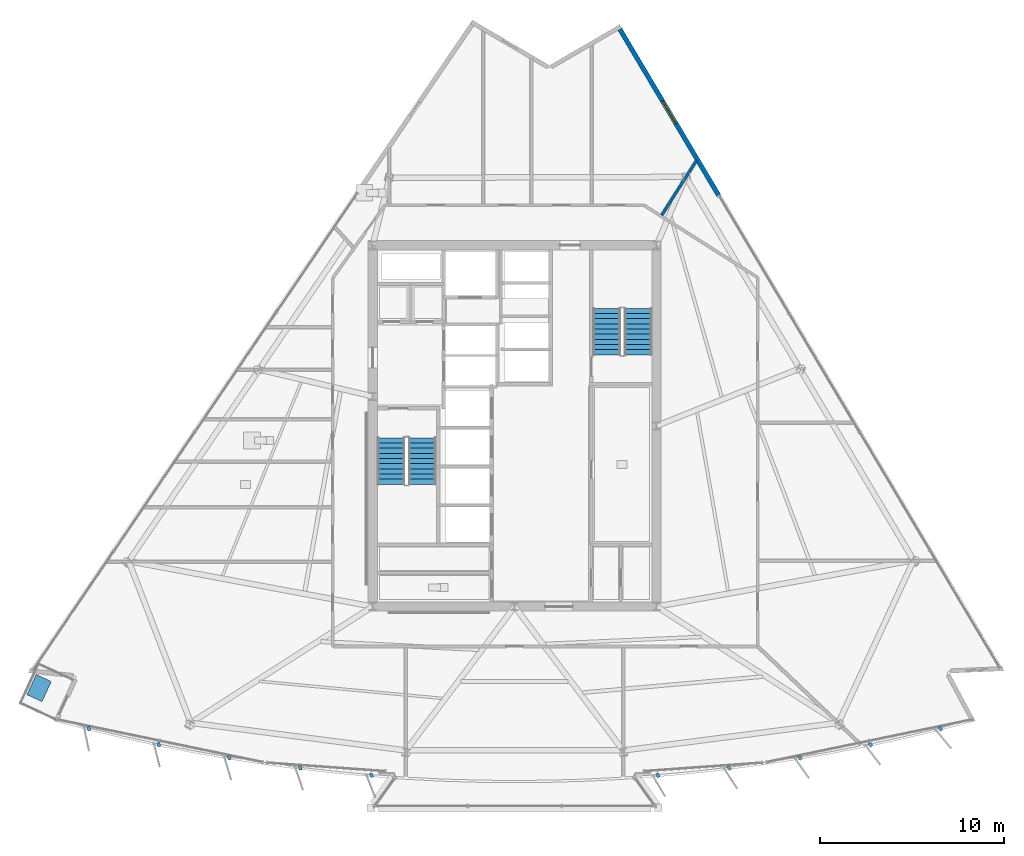
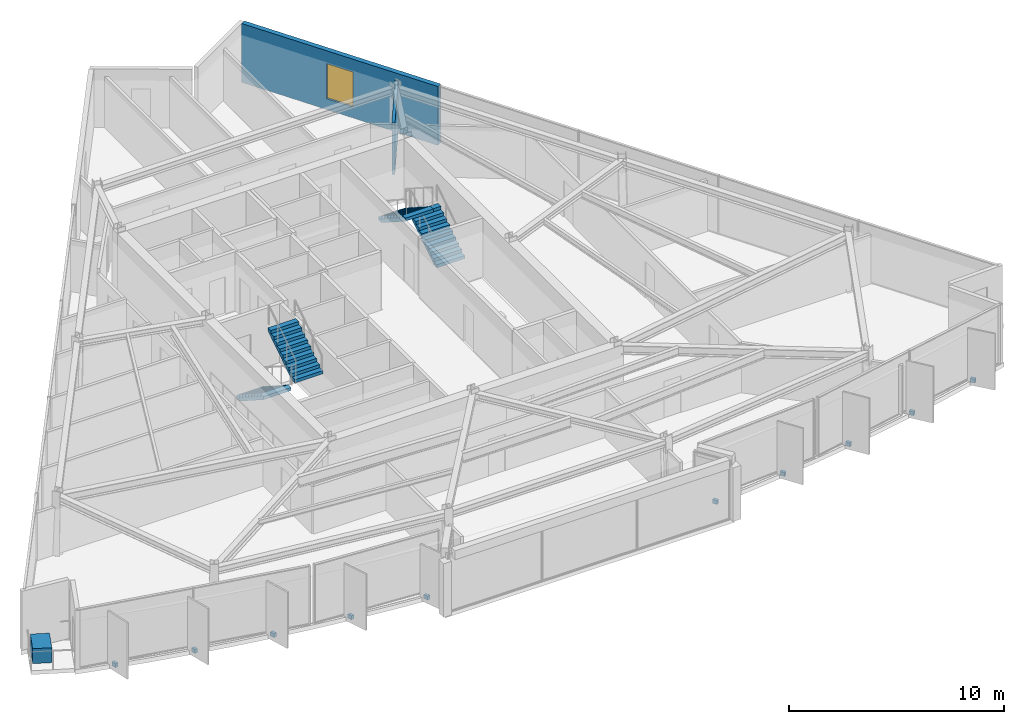
# One storey, part 10 of 15: 11 discrete accessories, 4 stair flights, 2 walls, 1 window, 1 opening, 2 elements without a shape of their own.
"""IFC4 building model written with IfcOpenShell, lengths in metres."""

from ifc_helpers import new_model, si_unit, direction, frame, frame_2d, origin, origin_2d, place, context, subcontext, project, spatial, polyline, rectangle, outline, extrude, material, layer, layer_set, type_object, element, fill, aggregate, save


model = new_model("IFC4")

# Units and contexts
model_context = context("Model", 3, precision=1e-05, world=origin(), true_north=direction((0.0, 1.0)))
body_context = subcontext(model_context, "Body", "Model", "MODEL_VIEW")
ifc_project = project(units=[si_unit("LENGTHUNIT", "METRE"), si_unit("AREAUNIT", "SQUARE_METRE"), si_unit("VOLUMEUNIT", "CUBIC_METRE"), si_unit("PLANEANGLEUNIT", "RADIAN"), si_unit("MASSUNIT", "GRAM", prefix="KILO")], contexts=[model_context])

# Site, building, storey
site_placement = place(None, origin())
site = spatial("IfcSite", under=ifc_project, at=site_placement, CompositionType="ELEMENT")
building_placement = place(site_placement, origin())
building = spatial("IfcBuilding", under=site, at=building_placement, Name="Savorim Split Tower", CompositionType="ELEMENT")
storey_placement = place(building_placement, frame((0.0, 0.0, 163.800048828125)))
storey = spatial("IfcBuildingStorey", under=building, at=storey_placement, Name="L43", CompositionType="ELEMENT", Elevation=163.800048828125)

# Wall, opening, window
ifc_material_1 = material(Name="Precast concrete C40/50", Category="concrete")
ifc_layer_1 = layer(ifc_material_1, 0.25)
ifc_layer_set_1 = layer_set([ifc_layer_1], Name="WAL-EXT-SPN250")
wall_type_1 = type_object("IfcWallType", Name="WAL-EXT-SPN250", PredefinedType="SOLIDWALL", material=ifc_layer_set_1)
wall_1_placement = place(storey_placement, frame((5.706298828125, 21.918701171875, 0.0), z_axis=(0.0, 0.0, 1.0), x_axis=(0.511079110892, -0.859533677298, 0.0)))
wall_1 = element("IfcWall", 1, at=wall_1_placement, inside=storey, type_object=wall_type_1, Name="L43 East Operable Window Pier", PredefinedType="SOLIDWALL", context=body_context, shape_type="SweptSolid", body=[
    extrude(rectangle(XDim=10.4892578125, YDim=0.25, at=frame_2d((5.24462890625, 0.0))), origin(), (0.0, 0.0, 1.0), 3.349853515625),
])
opening_placement = place(wall_1_placement, frame((4.544677734375, 0.0, 0.6201171875)))
opening = element("IfcOpeningElement", 2, at=opening_placement, cuts=wall_1, Name="Opening WN-07", PredefinedType="OPENING", context=body_context, shape_type="SweptSolid", body=[
    extrude(rectangle(XDim=1.39990234375, YDim=2.0, at=frame_2d((0.699951171875, 1.0))), frame((0.0, 0.135009765625, 0.0), z_axis=(0.0, -1.0, 0.0), x_axis=(1.0, 0.0, 0.0)), (0.0, 0.0, 1.0), 0.27001953125),
])
ifc_material_2 = material(Name="Low-E Operable Double Glazing", Category="glass")
window_type = type_object("IfcWindowType", Name="WIN-TWR-1400x2000", PartitioningType="SINGLE_PANEL", PredefinedType="WINDOW", material=ifc_material_2)
window_placement = place(opening_placement, origin())
window = element("IfcWindow", 3, at=window_placement, inside=storey, type_object=window_type, Name="L43 East Operable Ventilation Window", OverallHeight=2.0, OverallWidth=1.39990234375, PartitioningType="SINGLE_PANEL", PredefinedType="WINDOW", context=body_context, shape_type="SweptSolid", body=[
    extrude(rectangle(XDim=1.39990234375, YDim=2.0, at=frame_2d((0.699951171875, 1.0))), frame((0.0, 0.030029296875, 0.0), z_axis=(0.0, -1.0, 0.0), x_axis=(1.0, 0.0, 0.0)), (0.0, 0.0, 1.0), 0.06005859375),
])
fill(opening, window)

# Wall
ifc_material_3 = material(Name="Acoustic Gypsum Partition Board")
ifc_layer_2 = layer(ifc_material_3, 0.14990234375)
ifc_layer_set_2 = layer_set([ifc_layer_2], Name="WAL-PAR-150")
wall_type_2 = type_object("IfcWallType", Name="WAL-PAR-150", PredefinedType="PARTITIONING", material=ifc_layer_set_2)
wall_2_placement = place(storey_placement, frame((7.9765625, 11.82470703125, 0.0), z_axis=(0.0, 0.0, 1.0), x_axis=(0.536687935095, 0.843780812962, 0.0)))
element("IfcWall", 4, at=wall_2_placement, inside=storey, type_object=wall_type_2, Name="L43 Partition W-L43-PRAD07", PredefinedType="PARTITIONING", context=body_context, shape_type="SweptSolid", body=[
    extrude(rectangle(XDim=3.537841796875, YDim=0.14990234375, at=frame_2d((1.76904296875, 0.0))), origin(), (0.0, 0.0, 1.0), 2.93505859375),
])

# Stair, stair flights
ifc_material_4 = material(Name="Concrete C50/60", Category="concrete")
stair_type = type_object("IfcStairType", Name="STR-DOG-3600", PredefinedType="HALF_TURN_STAIR", material=ifc_material_4)
stair_1_placement = place(storey_placement, origin())
stair_1 = element("IfcStair", 5, at=stair_1_placement, inside=storey, type_object=stair_type, Name="L43 Core Protected Exit Stair ST-1", PredefinedType="HALF_TURN_STAIR")
stair_flight_type = type_object("IfcStairFlightType", Name="SFL-DOG-3600", PredefinedType="STRAIGHT", material=ifc_material_4)
stair_flight_1_placement = place(storey_placement, frame((-6.699951171875, -0.25, 0.0), z_axis=(0.0, 0.0, 1.0), x_axis=(0.0, -1.0, 0.0)))
stair_flight_1 = element("IfcStairFlight", 6, at=stair_flight_1_placement, type_object=stair_flight_type, Name="ST-1 flight 1", NumberOfRisers=10, NumberOfTreads=9, PredefinedType="STRAIGHT", RiserHeight=0.18, TreadLength=0.28, context=body_context, shape_type="SweptSolid", body=[
    extrude(outline(polyline([(0.0, 0.0), (0.0, 0.179931640625), (0.280029296875, 0.179931640625), (0.280029296875, 0.360107421875), (0.56005859375, 0.360107421875), (0.56005859375, 0.5400390625), (0.840087890625, 0.5400390625), (0.840087890625, 0.719970703125), (1.1201171875, 0.719970703125), (1.1201171875, 0.89990234375), (1.39990234375, 0.89990234375), (1.39990234375, 1.080078125), (1.679931640625, 1.080078125), (1.679931640625, 1.260009765625), (1.9599609375, 1.260009765625), (1.9599609375, 1.43994140625), (2.239990234375, 1.43994140625), (2.239990234375, 1.6201171875), (2.52001953125, 1.6201171875), (2.52001953125, 1.800048828125), (2.52001953125, 1.44189453125), (0.277099609375, 0.0), (0.0, 0.0)])), frame((0.0, 0.75, 0.0), z_axis=(0.0, -1.0, 0.0), x_axis=(1.0, 0.0, 0.0)), (0.0, 0.0, 1.0), 1.5),
])
stair_flight_2_placement = place(storey_placement, frame((-5.0, -2.77001953125, 1.800048828125), z_axis=(0.0, 0.0, 1.0), x_axis=(0.0, 1.0, 0.0)))
stair_flight_2 = element("IfcStairFlight", 7, at=stair_flight_2_placement, type_object=stair_flight_type, Name="ST-1 flight 2", NumberOfRisers=10, NumberOfTreads=9, PredefinedType="STRAIGHT", RiserHeight=0.18, TreadLength=0.28, context=body_context, shape_type="SweptSolid", body=[
    extrude(outline(polyline([(0.0, 0.0), (0.0, 0.179931640625), (0.280029296875, 0.179931640625), (0.280029296875, 0.360107421875), (0.56005859375, 0.360107421875), (0.56005859375, 0.5400390625), (0.840087890625, 0.5400390625), (0.840087890625, 0.719970703125), (1.1201171875, 0.719970703125), (1.1201171875, 0.89990234375), (1.39990234375, 0.89990234375), (1.39990234375, 1.080078125), (1.679931640625, 1.080078125), (1.679931640625, 1.260009765625), (1.9599609375, 1.260009765625), (1.9599609375, 1.43994140625), (2.239990234375, 1.43994140625), (2.239990234375, 1.6201171875), (2.52001953125, 1.6201171875), (2.52001953125, 1.800048828125), (2.52001953125, 1.44189453125), (0.277099609375, 0.0), (0.0, 0.0)])), frame((0.0, 0.75, 0.0), z_axis=(0.0, -1.0, 0.0), x_axis=(1.0, 0.0, 0.0)), (0.0, 0.0, 1.0), 1.5),
])
aggregate(stair_1, [stair_flight_1, stair_flight_2])

stair_2_placement = place(storey_placement, origin())
stair_2 = element("IfcStair", 8, at=stair_2_placement, inside=storey, type_object=stair_type, Name="L43 Core Protected Exit Stair ST-2", PredefinedType="HALF_TURN_STAIR")
stair_flight_3_placement = place(storey_placement, frame((6.699951171875, 4.25, 0.0), z_axis=(0.0, 0.0, 1.0), x_axis=(0.0, 1.0, 0.0)))
stair_flight_3 = element("IfcStairFlight", 9, at=stair_flight_3_placement, type_object=stair_flight_type, Name="ST-2 flight 1", NumberOfRisers=10, NumberOfTreads=9, PredefinedType="STRAIGHT", RiserHeight=0.18, TreadLength=0.28, context=body_context, shape_type="SweptSolid", body=[
    extrude(outline(polyline([(0.0, 0.0), (0.0, 0.179931640625), (0.280029296875, 0.179931640625), (0.280029296875, 0.360107421875), (0.56005859375, 0.360107421875), (0.56005859375, 0.5400390625), (0.840087890625, 0.5400390625), (0.840087890625, 0.719970703125), (1.1201171875, 0.719970703125), (1.1201171875, 0.89990234375), (1.39990234375, 0.89990234375), (1.39990234375, 1.080078125), (1.679931640625, 1.080078125), (1.679931640625, 1.260009765625), (1.9599609375, 1.260009765625), (1.9599609375, 1.43994140625), (2.239990234375, 1.43994140625), (2.239990234375, 1.6201171875), (2.52001953125, 1.6201171875), (2.52001953125, 1.800048828125), (2.52001953125, 1.44189453125), (0.277099609375, 0.0), (0.0, 0.0)])), frame((0.0, 0.75, 0.0), z_axis=(0.0, -1.0, 0.0), x_axis=(1.0, 0.0, 0.0)), (0.0, 0.0, 1.0), 1.5),
])
stair_flight_4_placement = place(storey_placement, frame((5.0, 6.77001953125, 1.800048828125), z_axis=(0.0, 0.0, 1.0), x_axis=(0.0, -1.0, 0.0)))
stair_flight_4 = element("IfcStairFlight", 10, at=stair_flight_4_placement, type_object=stair_flight_type, Name="ST-2 flight 2", NumberOfRisers=10, NumberOfTreads=9, PredefinedType="STRAIGHT", RiserHeight=0.18, TreadLength=0.28, context=body_context, shape_type="SweptSolid", body=[
    extrude(outline(polyline([(0.0, 0.0), (0.0, 0.179931640625), (0.280029296875, 0.179931640625), (0.280029296875, 0.360107421875), (0.56005859375, 0.360107421875), (0.56005859375, 0.5400390625), (0.840087890625, 0.5400390625), (0.840087890625, 0.719970703125), (1.1201171875, 0.719970703125), (1.1201171875, 0.89990234375), (1.39990234375, 0.89990234375), (1.39990234375, 1.080078125), (1.679931640625, 1.080078125), (1.679931640625, 1.260009765625), (1.9599609375, 1.260009765625), (1.9599609375, 1.43994140625), (2.239990234375, 1.43994140625), (2.239990234375, 1.6201171875), (2.52001953125, 1.6201171875), (2.52001953125, 1.800048828125), (2.52001953125, 1.44189453125), (0.277099609375, 0.0), (0.0, 0.0)])), frame((0.0, 0.75, 0.0), z_axis=(0.0, -1.0, 0.0), x_axis=(1.0, 0.0, 0.0)), (0.0, 0.0, 1.0), 1.5),
])
aggregate(stair_2, [stair_flight_3, stair_flight_4])

# Discrete accessories
ifc_material_5 = material(Name="Steel S355", Category="steel")
discrete_accessory_type_1 = type_object("IfcDiscreteAccessoryType", Name="ACC-BRK-FIN", PredefinedType="BRACKET", material=ifc_material_5)
for number, where, z_axis, x_axis, name in (
    (11, (-23.090576171875, -16.022705078125, -0.18994140625), (0.0, 0.0, 1.0), (0.206721626106, -0.978399800337, 0.0), "L43 Fin Slab-Edge Cleat Bracket 01"),
    (12, (-19.301513671875, -16.89013671875, -0.18994140625), (0.0, 0.0, 1.0), (0.246581250663, -0.969122121727, 0.0), "L43 Fin Slab-Edge Cleat Bracket 02"),
    (13, (-15.47998046875, -17.60205078125, -0.18994140625), (0.0, 0.0, 1.0), (0.286026212504, -0.958221793616, 0.0), "L43 Fin Slab-Edge Cleat Bracket 03"),
    (14, (-11.6328125, -18.156982421875, -0.18994140625), (0.0, 0.0, 1.0), (0.324993810493, -0.945716143005, 0.0), "L43 Fin Slab-Edge Cleat Bracket 04"),
    (15, (-7.76611328125, -18.553955078125, -0.18994140625), (0.0, 0.0, 1.0), (0.363415461732, -0.931627179817, 0.0), "L43 Fin Slab-Edge Cleat Bracket 05"),
    (16, (7.76611328125, -18.553955078125, -0.18994140625), (0.0, 0.0, 1.0), (0.510391336723, -0.859942255851, 0.0), "L43 Fin Slab-Edge Cleat Bracket 09"),
    (17, (11.6328125, -18.156982421875, -0.18994140625), (0.0, 0.0, 1.0), (0.545148321708, -0.838339613366, 0.0), "L43 Fin Slab-Edge Cleat Bracket 10"),
    (18, (15.47998046875, -17.60205078125, -0.18994140625), (0.0, 0.0, 1.0), (0.578993757737, -0.815331974414, 0.0), "L43 Fin Slab-Edge Cleat Bracket 11"),
    (19, (19.301513671875, -16.89013671875, -0.18994140625), (0.0, 0.0, 1.0), (0.611868076908, -0.790959832394, 0.0), "L43 Fin Slab-Edge Cleat Bracket 12"),
    (20, (23.090576171875, -16.022705078125, -0.18994140625), (0.0, 0.0, 1.0), (0.643719022682, -0.765261928909, 0.0), "L43 Fin Slab-Edge Cleat Bracket 13"),
):
    element("IfcDiscreteAccessory", number, at=place(storey_placement, frame(where, z_axis=z_axis, x_axis=x_axis)), inside=storey, type_object=discrete_accessory_type_1, Name=name, PredefinedType="BRACKET", context=body_context, shape_type="SweptSolid", body=[
        extrude(rectangle(XDim=0.239990234375, YDim=0.159912109375, at=origin_2d()), origin(), (0.0, 0.0, 1.0), 0.219970703125),
    ])
ifc_material_6 = material(Name="Architectural Precast Planter Concrete C40/50", Category="concrete")
discrete_accessory_type_2 = type_object("IfcDiscreteAccessoryType", Name="ACC-PLN-TREE", PredefinedType="USERDEFINED", material=ifc_material_6)
discrete_accessory_placement = place(storey_placement, frame((-25.789306640625, -13.822021484375, 0.0), z_axis=(0.0, 0.0, 1.0), x_axis=(-0.417495997822, -0.908678761611, 0.0)))
element("IfcDiscreteAccessory", 21, at=discrete_accessory_placement, inside=storey, type_object=discrete_accessory_type_2, Name="L43 Balcony Precast Tree Planter SW", ObjectType="PLANTER", PredefinedType="USERDEFINED", context=body_context, shape_type="SweptSolid", body=[
    extrude(rectangle(XDim=1.199951171875, YDim=0.89990234375, at=origin_2d()), origin(), (0.0, 0.0, 1.0), 0.85009765625),
])

save(model, "model.ifc")
